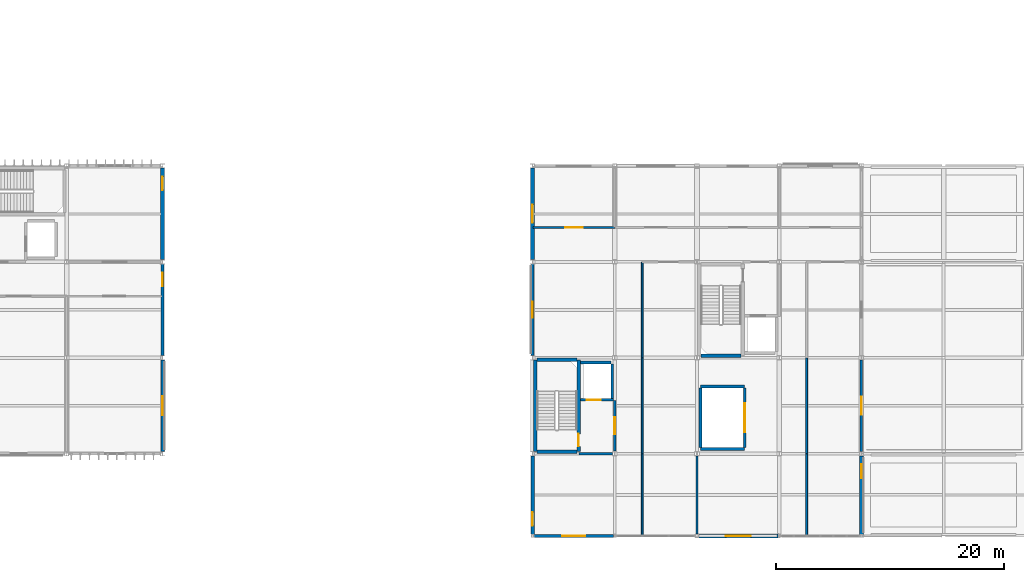
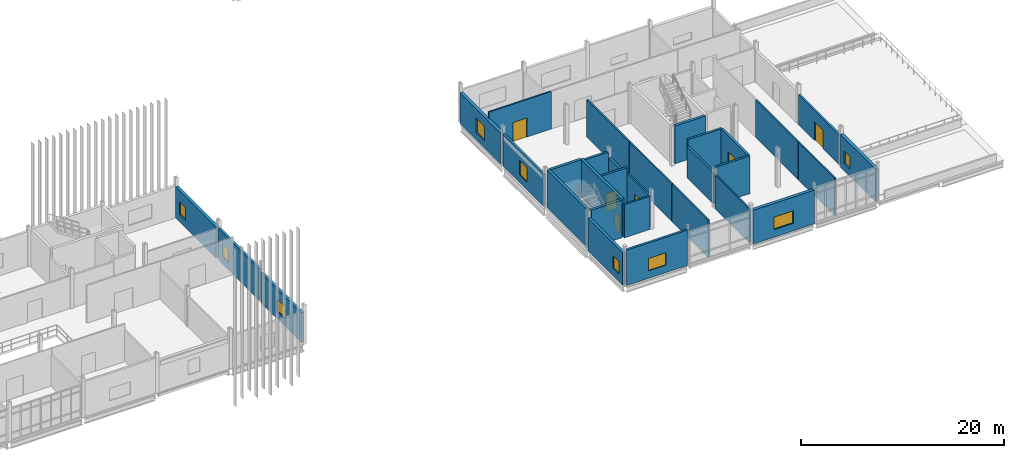
# One storey, part 51 of 72: 31 walls, 9 windows, 6 doors, 15 openings.
"""IFC4 building model written with IfcOpenShell, lengths in metres."""

from ifc_helpers import new_model, si_unit, direction, frame, frame_2d, origin, place, context, subcontext, project, spatial, rectangle, extrude, material, layer, layer_set, type_object, element, fill, save


model = new_model("IFC4")

# Units and contexts
model_context = context("Model", 3, precision=1e-05, world=origin(), true_north=direction((0.0, 1.0)))
body_context = subcontext(model_context, "Body", "Model", "MODEL_VIEW")
ifc_project = project(units=[si_unit("LENGTHUNIT", "METRE"), si_unit("AREAUNIT", "SQUARE_METRE"), si_unit("VOLUMEUNIT", "CUBIC_METRE"), si_unit("PLANEANGLEUNIT", "RADIAN"), si_unit("MASSUNIT", "GRAM", prefix="KILO")], contexts=[model_context])

# Site, building, storey
site_placement = place(None, origin())
site = spatial("IfcSite", under=ifc_project, at=site_placement, CompositionType="ELEMENT")
building_placement = place(site_placement, origin())
building = spatial("IfcBuilding", under=site, at=building_placement, Name="Calvrana Isthmian Art Gallery", CompositionType="ELEMENT")
storey_placement = place(building_placement, frame((0.0, 0.0, 15.0)))
storey = spatial("IfcBuildingStorey", under=building, at=storey_placement, Name="L03", CompositionType="ELEMENT", Elevation=15.0)

# Wall
ifc_material_1 = material(Name="Concrete C40/50", Category="concrete")
ifc_layer_1 = layer(ifc_material_1, 0.300048828125, Name="Concrete C40/50")
ifc_layer_set_1 = layer_set([ifc_layer_1], Name="Concrete C40/50")
wall_type_1 = type_object("IfcWallType", Name="CW-SHAFT-300", PredefinedType="SHEAR", material=ifc_layer_set_1)
wall_1_placement = place(storey_placement, frame((113.02001953125, 21.7900390625, 0.0), z_axis=(0.0, 0.0, 1.0), x_axis=(0.0, 1.0, 0.0)))
element("IfcWall", 1, at=wall_1_placement, inside=storey, type_object=wall_type_1, Name="Core C3 shear wall W L03", PredefinedType="SHEAR", context=body_context, shape_type="SweptSolid", body=[
    extrude(rectangle(XDim=8.02001953125, YDim=0.300048828125, at=frame_2d((4.010009765625, 0.0))), origin(), (0.0, 0.0, 1.0), 4.5400390625),
])

# Wall, opening, door
wall_2_placement = place(storey_placement, frame((116.840087890625, 21.7900390625, 0.0), z_axis=(0.0, 0.0, 1.0), x_axis=(0.0, 1.0, 0.0)))
wall_2 = element("IfcWall", 2, at=wall_2_placement, inside=storey, type_object=wall_type_1, Name="Core C3 shear wall E L03", PredefinedType="SHEAR", context=body_context, shape_type="SweptSolid", body=[
    extrude(rectangle(XDim=8.02001953125, YDim=0.300048828125, at=frame_2d((4.010009765625, 0.0))), origin(), (0.0, 0.0, 1.0), 4.5400390625),
])
opening_1_placement = place(wall_2_placement, frame((0.449951171875, 0.0, 0.0)))
opening_1 = element("IfcOpeningElement", 3, at=opening_1_placement, cuts=wall_2, Name="Opening D-136", PredefinedType="OPENING", context=body_context, shape_type="SweptSolid", body=[
    extrude(rectangle(XDim=1.10009765625, YDim=2.14990234375, at=frame_2d((0.550048828125, 1.074951171875))), frame((0.0, 0.16015625, 0.0), z_axis=(0.0, -1.0, 0.0), x_axis=(1.0, 0.0, 0.0)), (0.0, 0.0, 1.0), 0.320556640625),
])
ifc_material_2 = material(Name="Steel ASTM A572 Gr 50", Category="steel")
door_type_1 = type_object("IfcDoorType", Name="DR-FIRE-1100", OperationType="NOTDEFINED", PredefinedType="DOOR", material=ifc_material_2)
door_1_placement = place(opening_1_placement, origin())
door_1 = element("IfcDoor", 4, at=door_1_placement, inside=storey, type_object=door_type_1, Name="Stair ST-3 fire door L03", OperationType="SINGLE_SWING_LEFT", OverallHeight=2.14990234375, OverallWidth=1.10009765625, PredefinedType="DOOR", context=body_context, shape_type="SweptSolid", body=[
    extrude(rectangle(XDim=1.10009765625, YDim=2.14990234375, at=frame_2d((0.550048828125, 1.074951171875))), frame((0.0, 0.02490234375, 0.0), z_axis=(0.0, -1.0, 0.0), x_axis=(1.0, 0.0, 0.0)), (0.0, 0.0, 1.0), 0.050048828125),
])
fill(opening_1, door_1)

# Walls
for number, where, z_axis, x_axis, name in (
    (5, (113.169921875, 21.7900390625, 0.0), (0.0, 0.0, 1.0), (1.0, 0.0, 0.0), "Core C3 shear wall S L03"),
    (6, (113.169921875, 29.81005859375, 0.0), (0.0, 0.0, 1.0), (1.0, 0.0, 0.0), "Core C3 shear wall N L03"),
    (7, (127.550048828125, 30.18994140625, 0.0), (0.0, 0.0, 1.0), (1.0, 0.0, 0.0), "Core C4 shear wall S L03"),
):
    element("IfcWall", number, at=place(storey_placement, frame(where, z_axis=z_axis, x_axis=x_axis)), inside=storey, type_object=wall_type_1, Name=name, PredefinedType="SHEAR", context=body_context, shape_type="SweptSolid", body=[
        extrude(rectangle(XDim=3.52001953125, YDim=0.300048828125, at=frame_2d((1.760009765625, 0.0))), origin(), (0.0, 0.0, 1.0), 4.5400390625),
    ])

# Wall, opening, door
ifc_material_3 = material(Name="Precast concrete C40/50", Category="concrete")
ifc_layer_2 = layer(ifc_material_3, 0.219970703125, Name="Precast concrete C40/50")
ifc_layer_set_2 = layer_set([ifc_layer_2], Name="Precast concrete C40/50")
wall_type_2 = type_object("IfcWallType", Name="EW-ACOUST-220", PredefinedType="SOLIDWALL", material=ifc_layer_set_2)
wall_3_placement = place(storey_placement, frame((141.60009765625, 29.81591796875, 0.0), z_axis=(0.0, 0.0, 1.0), x_axis=(0.0, -1.0, 0.0)))
wall_3 = element("IfcWall", 8, at=wall_3_placement, inside=storey, type_object=wall_type_2, Name="Exterior wall EW-176", PredefinedType="SOLIDWALL", context=body_context, shape_type="SweptSolid", body=[
    extrude(rectangle(XDim=8.034423828125, YDim=0.219970703125, at=frame_2d((4.01708984375, 0.0))), origin(), (0.0, 0.0, 1.0), 3.593017578125),
])
opening_2_placement = place(wall_3_placement, frame((3.21728515625, 0.0, 0.0)))
opening_2 = element("IfcOpeningElement", 9, at=opening_2_placement, cuts=wall_3, Name="Opening D-T26", PredefinedType="OPENING", context=body_context, shape_type="SweptSolid", body=[
    extrude(rectangle(XDim=1.60009765625, YDim=2.25, at=frame_2d((0.800048828125, 1.125))), frame((0.0, 0.1201171875, 0.0), z_axis=(0.0, -1.0, 0.0), x_axis=(1.0, 0.0, 0.0)), (0.0, 0.0, 1.0), 0.240478515625),
])
ifc_material_4 = material(Name="Anodized bronze aluminium 6063-T6", Category="aluminium")
door_type_2 = type_object("IfcDoorType", Name="DR-EXT-TER-1600", OperationType="DOUBLE_DOOR_SINGLE_SWING", PredefinedType="DOOR", material=ifc_material_4)
door_2_placement = place(opening_2_placement, origin())
door_2 = element("IfcDoor", 10, at=door_2_placement, inside=storey, type_object=door_type_2, Name="Sculpture terrace access door D-T26", OperationType="DOUBLE_DOOR_SINGLE_SWING", OverallHeight=2.25, OverallWidth=1.60009765625, PredefinedType="DOOR", context=body_context, shape_type="SweptSolid", body=[
    extrude(rectangle(XDim=1.60009765625, YDim=2.25, at=frame_2d((0.800048828125, 1.125))), frame((0.0, 0.02490234375, 0.0), z_axis=(0.0, -1.0, 0.0), x_axis=(1.0, 0.0, 0.0)), (0.0, 0.0, 1.0), 0.050048828125),
])
fill(opening_2, door_2)

# Wall, opening, window
ifc_material_5 = material(Name="Pale Isthmian limestone", Category="masonry")
ifc_layer_3 = layer(ifc_material_5, 0.300048828125, Name="Pale Isthmian limestone")
ifc_layer_set_3 = layer_set([ifc_layer_3], Name="Pale Isthmian limestone")
wall_type_3 = type_object("IfcWallType", Name="EW-LIME-300", PredefinedType="SOLIDWALL", material=ifc_layer_set_3)
wall_4_placement = place(storey_placement, frame((80.39990234375, 29.81591796875, 0.0), z_axis=(0.0, 0.0, 1.0), x_axis=(0.0, -1.0, 0.0)))
wall_4 = element("IfcWall", 11, at=wall_4_placement, inside=storey, type_object=wall_type_3, Name="Exterior wall EW-165", PredefinedType="SOLIDWALL", context=body_context, shape_type="SweptSolid", body=[
    extrude(rectangle(XDim=8.034423828125, YDim=0.300048828125, at=frame_2d((4.01708984375, 0.0))), origin(), (0.0, 0.0, 1.0), 3.593017578125),
])
opening_3_placement = place(wall_4_placement, frame((3.192138671875, 0.0, 0.89990234375)))
opening_3 = element("IfcOpeningElement", 12, at=opening_3_placement, cuts=wall_4, Name="Opening W-121", PredefinedType="OPENING", context=body_context, shape_type="SweptSolid", body=[
    extrude(rectangle(XDim=1.64990234375, YDim=1.5, at=frame_2d((0.824951171875, 0.75))), frame((0.0, 0.16015625, 0.0), z_axis=(0.0, -1.0, 0.0), x_axis=(1.0, 0.0, 0.0)), (0.0, 0.0, 1.0), 0.320556640625),
])
ifc_material_6 = material(Name="Low-E laminated solar glass", Category="glass")
window_type_1 = type_object("IfcWindowType", Name="WN-G04", PartitioningType="SINGLE_PANEL", PredefinedType="WINDOW", material=ifc_material_6)
window_1_placement = place(opening_3_placement, origin())
window_1 = element("IfcWindow", 13, at=window_1_placement, inside=storey, type_object=window_type_1, Name="Facade window W-121", OverallHeight=1.5, OverallWidth=1.64990234375, PartitioningType="SINGLE_PANEL", PredefinedType="WINDOW", context=body_context, shape_type="SweptSolid", body=[
    extrude(rectangle(XDim=1.64990234375, YDim=1.5, at=frame_2d((0.824951171875, 0.75))), frame((0.0, 0.030029296875, 0.0), z_axis=(0.0, -1.0, 0.0), x_axis=(1.0, 0.0, 0.0)), (0.0, 0.0, 1.0), 0.06005859375),
])
fill(opening_3, window_1)

wall_5_placement = place(storey_placement, frame((112.800048828125, 14.527099609375, 0.0), z_axis=(0.0, 0.0, 1.0), x_axis=(0.0, 1.0, 0.0)))
wall_5 = element("IfcWall", 14, at=wall_5_placement, inside=storey, type_object=wall_type_3, Name="Exterior wall EW-169", PredefinedType="SOLIDWALL", context=body_context, shape_type="SweptSolid", body=[
    extrude(rectangle(XDim=6.891357421875, YDim=0.300048828125, at=frame_2d((3.44580078125, 0.0))), origin(), (0.0, 0.0, 1.0), 3.9130859375),
])
opening_4_placement = place(wall_5_placement, frame((0.75, 0.0, 0.89990234375)))
opening_4 = element("IfcOpeningElement", 15, at=opening_4_placement, cuts=wall_5, Name="Opening W-125", PredefinedType="OPENING", context=body_context, shape_type="SweptSolid", body=[
    extrude(rectangle(XDim=1.199951171875, YDim=1.5, at=frame_2d((0.60009765625, 0.75))), frame((0.0, 0.16015625, 0.0), z_axis=(0.0, -1.0, 0.0), x_axis=(1.0, 0.0, 0.0)), (0.0, 0.0, 1.0), 0.320556640625),
])
window_type_2 = type_object("IfcWindowType", Name="WN-G01", PartitioningType="SINGLE_PANEL", PredefinedType="WINDOW", material=ifc_material_6)
window_2_placement = place(opening_4_placement, origin())
window_2 = element("IfcWindow", 16, at=window_2_placement, inside=storey, type_object=window_type_2, Name="Facade window W-125", OverallHeight=1.5, OverallWidth=1.199951171875, PartitioningType="SINGLE_PANEL", PredefinedType="WINDOW", context=body_context, shape_type="SweptSolid", body=[
    extrude(rectangle(XDim=1.199951171875, YDim=1.5, at=frame_2d((0.60009765625, 0.75))), frame((0.0, 0.030029296875, 0.0), z_axis=(0.0, -1.0, 0.0), x_axis=(1.0, 0.0, 0.0)), (0.0, 0.0, 1.0), 0.06005859375),
])
fill(opening_4, window_2)

ifc_layer_4 = layer(ifc_material_3, 0.35009765625, Name="Precast concrete C40/50")
ifc_layer_set_4 = layer_set([ifc_layer_4], Name="Precast concrete C40/50")
wall_type_4 = type_object("IfcWallType", Name="EW-PREC-350", PredefinedType="SOLIDWALL", material=ifc_layer_set_4)
wall_6_placement = place(storey_placement, frame((134.29833984375, 14.39990234375, 0.0), z_axis=(0.0, 0.0, 1.0), x_axis=(-1.0, 0.0, 0.0)))
wall_6 = element("IfcWall", 17, at=wall_6_placement, inside=storey, type_object=wall_type_4, Name="Exterior wall EW-143", PredefinedType="SOLIDWALL", context=body_context, shape_type="SweptSolid", body=[
    extrude(rectangle(XDim=6.946044921875, YDim=0.35009765625, at=frame_2d((3.47314453125, 0.0))), origin(), (0.0, 0.0, 1.0), 4.05810546875),
])
opening_5_placement = place(wall_6_placement, frame((2.373046875, 0.0, 0.89990234375)))
opening_5 = element("IfcOpeningElement", 18, at=opening_5_placement, cuts=wall_6, Name="Opening W-100", PredefinedType="OPENING", context=body_context, shape_type="SweptSolid", body=[
    extrude(rectangle(XDim=2.199951171875, YDim=1.5, at=frame_2d((1.10009765625, 0.75))), frame((0.0, 0.185302734375, 0.0), z_axis=(0.0, -1.0, 0.0), x_axis=(1.0, 0.0, 0.0)), (0.0, 0.0, 1.0), 0.37060546875),
])
window_type_3 = type_object("IfcWindowType", Name="WN-G07", PartitioningType="DOUBLE_PANEL_VERTICAL", PredefinedType="WINDOW", material=ifc_material_6)
window_3_placement = place(opening_5_placement, origin())
window_3 = element("IfcWindow", 19, at=window_3_placement, inside=storey, type_object=window_type_3, Name="Facade window W-100", OverallHeight=1.5, OverallWidth=2.199951171875, PartitioningType="SINGLE_PANEL", PredefinedType="WINDOW", context=body_context, shape_type="SweptSolid", body=[
    extrude(rectangle(XDim=2.199951171875, YDim=1.5, at=frame_2d((1.10009765625, 0.75))), frame((0.0, 0.030029296875, 0.0), z_axis=(0.0, -1.0, 0.0), x_axis=(1.0, 0.0, 0.0)), (0.0, 0.0, 1.0), 0.06005859375),
])
fill(opening_5, window_3)

wall_7_placement = place(storey_placement, frame((80.39990234375, 46.6220703125, 0.0), z_axis=(0.0, 0.0, 1.0), x_axis=(0.0, -1.0, 0.0)))
wall_7 = element("IfcWall", 20, at=wall_7_placement, inside=storey, type_object=wall_type_4, Name="Exterior wall EW-167", PredefinedType="SOLIDWALL", context=body_context, shape_type="SweptSolid", body=[
    extrude(rectangle(XDim=8.03564453125, YDim=0.35009765625, at=frame_2d((4.017822265625, 0.0))), origin(), (0.0, 0.0, 1.0), 3.748046875),
])
opening_6_placement = place(wall_7_placement, frame((0.75, 0.0, 0.89990234375)))
opening_6 = element("IfcOpeningElement", 21, at=opening_6_placement, cuts=wall_7, Name="Opening W-123", PredefinedType="OPENING", context=body_context, shape_type="SweptSolid", body=[
    extrude(rectangle(XDim=1.199951171875, YDim=1.5, at=frame_2d((0.60009765625, 0.75))), frame((0.0, 0.185302734375, 0.0), z_axis=(0.0, -1.0, 0.0), x_axis=(1.0, 0.0, 0.0)), (0.0, 0.0, 1.0), 0.37060546875),
])
window_4_placement = place(opening_6_placement, origin())
window_4 = element("IfcWindow", 22, at=window_4_placement, inside=storey, type_object=window_type_2, Name="Facade window W-123", OverallHeight=1.5, OverallWidth=1.199951171875, PartitioningType="SINGLE_PANEL", PredefinedType="WINDOW", context=body_context, shape_type="SweptSolid", body=[
    extrude(rectangle(XDim=1.199951171875, YDim=1.5, at=frame_2d((0.60009765625, 0.75))), frame((0.0, 0.030029296875, 0.0), z_axis=(0.0, -1.0, 0.0), x_axis=(1.0, 0.0, 0.0)), (0.0, 0.0, 1.0), 0.06005859375),
])
fill(opening_6, window_4)

wall_8_placement = place(storey_placement, frame((112.800048828125, 38.58642578125, 0.0), z_axis=(0.0, 0.0, 1.0), x_axis=(0.0, 1.0, 0.0)))
wall_8 = element("IfcWall", 23, at=wall_8_placement, inside=storey, type_object=wall_type_4, Name="Exterior wall EW-171", PredefinedType="SOLIDWALL", context=body_context, shape_type="SweptSolid", body=[
    extrude(rectangle(XDim=8.03564453125, YDim=0.35009765625, at=frame_2d((4.017822265625, 0.0))), origin(), (0.0, 0.0, 1.0), 3.748046875),
])
opening_7_placement = place(wall_8_placement, frame((3.2177734375, 0.0, 0.89990234375)))
opening_7 = element("IfcOpeningElement", 24, at=opening_7_placement, cuts=wall_8, Name="Opening W-127", PredefinedType="OPENING", context=body_context, shape_type="SweptSolid", body=[
    extrude(rectangle(XDim=1.60009765625, YDim=1.75, at=frame_2d((0.800048828125, 0.875))), frame((0.0, 0.185302734375, 0.0), z_axis=(0.0, -1.0, 0.0), x_axis=(1.0, 0.0, 0.0)), (0.0, 0.0, 1.0), 0.37060546875),
])
window_type_4 = type_object("IfcWindowType", Name="WN-G10", PartitioningType="SINGLE_PANEL", PredefinedType="WINDOW", material=ifc_material_6)
window_5_placement = place(opening_7_placement, origin())
window_5 = element("IfcWindow", 25, at=window_5_placement, inside=storey, type_object=window_type_4, Name="Facade window W-127", OverallHeight=1.75, OverallWidth=1.60009765625, PartitioningType="SINGLE_PANEL", PredefinedType="WINDOW", context=body_context, shape_type="SweptSolid", body=[
    extrude(rectangle(XDim=1.60009765625, YDim=1.75, at=frame_2d((0.800048828125, 0.875))), frame((0.0, 0.030029296875, 0.0), z_axis=(0.0, -1.0, 0.0), x_axis=(1.0, 0.0, 0.0)), (0.0, 0.0, 1.0), 0.06005859375),
])
fill(opening_7, window_5)

wall_9_placement = place(storey_placement, frame((141.60009765625, 21.41845703125, 0.0), z_axis=(0.0, 0.0, 1.0), x_axis=(0.0, -1.0, 0.0)))
wall_9 = element("IfcWall", 26, at=wall_9_placement, inside=storey, type_object=wall_type_4, Name="Exterior wall EW-175", PredefinedType="SOLIDWALL", context=body_context, shape_type="SweptSolid", body=[
    extrude(rectangle(XDim=6.891357421875, YDim=0.35009765625, at=frame_2d((3.44580078125, 0.0))), origin(), (0.0, 0.0, 1.0), 3.9130859375),
])
opening_8_placement = place(wall_9_placement, frame((0.75, 0.0, 0.89990234375)))
opening_8 = element("IfcOpeningElement", 27, at=opening_8_placement, cuts=wall_9, Name="Opening W-131", PredefinedType="OPENING", context=body_context, shape_type="SweptSolid", body=[
    extrude(rectangle(XDim=1.199951171875, YDim=1.5, at=frame_2d((0.60009765625, 0.75))), frame((0.0, 0.185302734375, 0.0), z_axis=(0.0, -1.0, 0.0), x_axis=(1.0, 0.0, 0.0)), (0.0, 0.0, 1.0), 0.37060546875),
])
window_6_placement = place(opening_8_placement, origin())
window_6 = element("IfcWindow", 28, at=window_6_placement, inside=storey, type_object=window_type_2, Name="Facade window W-131", OverallHeight=1.5, OverallWidth=1.199951171875, PartitioningType="SINGLE_PANEL", PredefinedType="WINDOW", context=body_context, shape_type="SweptSolid", body=[
    extrude(rectangle(XDim=1.199951171875, YDim=1.5, at=frame_2d((0.60009765625, 0.75))), frame((0.0, 0.030029296875, 0.0), z_axis=(0.0, -1.0, 0.0), x_axis=(1.0, 0.0, 0.0)), (0.0, 0.0, 1.0), 0.06005859375),
])
fill(opening_8, window_6)

ifc_material_7 = material(Name="Polychrome glazed terracotta", Category="masonry")
ifc_layer_5 = layer(ifc_material_7, 0.25, Name="Polychrome glazed terracotta")
ifc_layer_set_5 = layer_set([ifc_layer_5], Name="Polychrome glazed terracotta")
wall_type_5 = type_object("IfcWallType", Name="EW-TERRA-250", PredefinedType="SOLIDWALL", material=ifc_layer_set_5)
wall_10_placement = place(storey_placement, frame((119.8984375, 14.39990234375, 0.0), z_axis=(0.0, 0.0, 1.0), x_axis=(-1.0, 0.0, 0.0)))
wall_10 = element("IfcWall", 29, at=wall_10_placement, inside=storey, type_object=wall_type_5, Name="Exterior wall EW-142", PredefinedType="SOLIDWALL", context=body_context, shape_type="SweptSolid", body=[
    extrude(rectangle(XDim=6.971435546875, YDim=0.25, at=frame_2d((3.48583984375, 0.0))), origin(), (0.0, 0.0, 1.0), 4.26611328125),
])
opening_9_placement = place(wall_10_placement, frame((2.485595703125, 0.0, 0.89990234375)))
opening_9 = element("IfcOpeningElement", 30, at=opening_9_placement, cuts=wall_10, Name="Opening W-099", PredefinedType="OPENING", context=body_context, shape_type="SweptSolid", body=[
    extrude(rectangle(XDim=2.0, YDim=1.5, at=frame_2d((1.0, 0.75))), frame((0.0, 0.13525390625, 0.0), z_axis=(0.0, -1.0, 0.0), x_axis=(1.0, 0.0, 0.0)), (0.0, 0.0, 1.0), 0.2705078125),
])
window_type_5 = type_object("IfcWindowType", Name="WN-G06", PartitioningType="DOUBLE_PANEL_VERTICAL", PredefinedType="WINDOW", material=ifc_material_6)
window_7_placement = place(opening_9_placement, origin())
window_7 = element("IfcWindow", 31, at=window_7_placement, inside=storey, type_object=window_type_5, Name="Facade window W-099", OverallHeight=1.5, OverallWidth=2.0, PartitioningType="SINGLE_PANEL", PredefinedType="WINDOW", context=body_context, shape_type="SweptSolid", body=[
    extrude(rectangle(XDim=2.0, YDim=1.5, at=frame_2d((1.0, 0.75))), frame((0.0, 0.030029296875, 0.0), z_axis=(0.0, -1.0, 0.0), x_axis=(1.0, 0.0, 0.0)), (0.0, 0.0, 1.0), 0.06005859375),
])
fill(opening_9, window_7)

wall_11_placement = place(storey_placement, frame((80.39990234375, 38.21337890625, 0.0), z_axis=(0.0, 0.0, 1.0), x_axis=(0.0, -1.0, 0.0)))
wall_11 = element("IfcWall", 32, at=wall_11_placement, inside=storey, type_object=wall_type_5, Name="Exterior wall EW-166", PredefinedType="SOLIDWALL", context=body_context, shape_type="SweptSolid", body=[
    extrude(rectangle(XDim=8.029296875, YDim=0.25, at=frame_2d((4.0146484375, 0.0))), origin(), (0.0, 0.0, 1.0), 3.826904296875),
])
opening_10_placement = place(wall_11_placement, frame((0.75, 0.0, 0.89990234375)))
opening_10 = element("IfcOpeningElement", 33, at=opening_10_placement, cuts=wall_11, Name="Opening W-122", PredefinedType="OPENING", context=body_context, shape_type="SweptSolid", body=[
    extrude(rectangle(XDim=1.199951171875, YDim=1.5, at=frame_2d((0.60009765625, 0.75))), frame((0.0, 0.13525390625, 0.0), z_axis=(0.0, -1.0, 0.0), x_axis=(1.0, 0.0, 0.0)), (0.0, 0.0, 1.0), 0.2705078125),
])
window_8_placement = place(opening_10_placement, origin())
window_8 = element("IfcWindow", 34, at=window_8_placement, inside=storey, type_object=window_type_2, Name="Facade window W-122", OverallHeight=1.5, OverallWidth=1.199951171875, PartitioningType="SINGLE_PANEL", PredefinedType="WINDOW", context=body_context, shape_type="SweptSolid", body=[
    extrude(rectangle(XDim=1.199951171875, YDim=1.5, at=frame_2d((0.60009765625, 0.75))), frame((0.0, 0.030029296875, 0.0), z_axis=(0.0, -1.0, 0.0), x_axis=(1.0, 0.0, 0.0)), (0.0, 0.0, 1.0), 0.06005859375),
])
fill(opening_10, window_8)

wall_12_placement = place(storey_placement, frame((112.800048828125, 30.18408203125, 0.0), z_axis=(0.0, 0.0, 1.0), x_axis=(0.0, 1.0, 0.0)))
wall_12 = element("IfcWall", 35, at=wall_12_placement, inside=storey, type_object=wall_type_5, Name="Exterior wall EW-170", PredefinedType="SOLIDWALL", context=body_context, shape_type="SweptSolid", body=[
    extrude(rectangle(XDim=8.029296875, YDim=0.25, at=frame_2d((4.0146484375, 0.0))), origin(), (0.0, 0.0, 1.0), 3.826904296875),
])
opening_11_placement = place(wall_12_placement, frame((3.314697265625, 0.0, 0.89990234375)))
opening_11 = element("IfcOpeningElement", 36, at=opening_11_placement, cuts=wall_12, Name="Opening W-126", PredefinedType="OPENING", context=body_context, shape_type="SweptSolid", body=[
    extrude(rectangle(XDim=1.39990234375, YDim=1.75, at=frame_2d((0.699951171875, 0.875))), frame((0.0, 0.13525390625, 0.0), z_axis=(0.0, -1.0, 0.0), x_axis=(1.0, 0.0, 0.0)), (0.0, 0.0, 1.0), 0.2705078125),
])
window_type_6 = type_object("IfcWindowType", Name="WN-G09", PartitioningType="SINGLE_PANEL", PredefinedType="WINDOW", material=ifc_material_6)
window_9_placement = place(opening_11_placement, origin())
window_9 = element("IfcWindow", 37, at=window_9_placement, inside=storey, type_object=window_type_6, Name="Facade window W-126", OverallHeight=1.75, OverallWidth=1.39990234375, PartitioningType="SINGLE_PANEL", PredefinedType="WINDOW", context=body_context, shape_type="SweptSolid", body=[
    extrude(rectangle(XDim=1.39990234375, YDim=1.75, at=frame_2d((0.699951171875, 0.875))), frame((0.0, 0.030029296875, 0.0), z_axis=(0.0, -1.0, 0.0), x_axis=(1.0, 0.0, 0.0)), (0.0, 0.0, 1.0), 0.06005859375),
])
fill(opening_11, window_9)

# Wall
ifc_material_8 = material(Name="Acoustic gypsum ceiling", Category="gypsum")
ifc_layer_6 = layer(ifc_material_8, 0.199951171875, Name="Acoustic gypsum ceiling")
ifc_layer_set_6 = layer_set([ifc_layer_6], Name="Acoustic gypsum ceiling")
wall_type_6 = type_object("IfcWallType", Name="PW-FIRE-200", PredefinedType="PARTITIONING", material=ifc_layer_set_6)
wall_13_placement = place(storey_placement, frame((116.85009765625, 21.60009765625, 0.0), z_axis=(0.0, 0.0, 1.0), x_axis=(1.0, 0.0, 0.0)))
element("IfcWall", 38, at=wall_13_placement, inside=storey, type_object=wall_type_6, Name="Core C3 lobby south closure L03", PredefinedType="PARTITIONING", context=body_context, shape_type="SweptSolid", body=[
    extrude(rectangle(XDim=2.929931640625, YDim=0.199951171875, at=frame_2d((1.46484375, 0.0))), origin(), (0.0, 0.0, 1.0), 3.987060546875),
])

# Wall, opening, door
wall_14_placement = place(storey_placement, frame((120.0, 21.820068359375, 0.0), z_axis=(0.0, 0.0, 1.0), x_axis=(0.0, 1.0, 0.0)))
wall_14 = element("IfcWall", 39, at=wall_14_placement, inside=storey, type_object=wall_type_6, Name="Core C3 lobby enclosure L03", PredefinedType="PARTITIONING", context=body_context, shape_type="SweptSolid", body=[
    extrude(rectangle(XDim=4.4599609375, YDim=0.199951171875, at=frame_2d((2.22998046875, 0.0))), origin(), (0.0, 0.0, 1.0), 3.826904296875),
])
opening_12_placement = place(wall_14_placement, frame((1.5048828125, 0.0, 0.0)))
opening_12 = element("IfcOpeningElement", 40, at=opening_12_placement, cuts=wall_14, Name="Opening D-137", PredefinedType="OPENING", context=body_context, shape_type="SweptSolid", body=[
    extrude(rectangle(XDim=1.449951171875, YDim=2.199951171875, at=frame_2d((0.72509765625, 1.10009765625))), frame((0.0, 0.1103515625, 0.0), z_axis=(0.0, -1.0, 0.0), x_axis=(1.0, 0.0, 0.0)), (0.0, 0.0, 1.0), 0.220458984375),
])
door_type_3 = type_object("IfcDoorType", Name="DR-LOBBY-1450", OperationType="DOUBLE_DOOR_SINGLE_SWING", PredefinedType="DOOR", material=ifc_material_2)
door_3_placement = place(opening_12_placement, origin())
door_3 = element("IfcDoor", 41, at=door_3_placement, inside=storey, type_object=door_type_3, Name="Core C3 lobby fire door L03", OperationType="DOUBLE_DOOR_SINGLE_SWING", OverallHeight=2.199951171875, OverallWidth=1.449951171875, PredefinedType="DOOR", context=body_context, shape_type="SweptSolid", body=[
    extrude(rectangle(XDim=1.449951171875, YDim=2.199951171875, at=frame_2d((0.72509765625, 1.10009765625))), frame((0.0, 0.02490234375, 0.0), z_axis=(0.0, -1.0, 0.0), x_axis=(1.0, 0.0, 0.0)), (0.0, 0.0, 1.0), 0.050048828125),
])
fill(opening_12, door_3)

# Walls
ifc_layer_7 = layer(ifc_material_8, 0.159912109375, Name="Acoustic gypsum ceiling")
ifc_layer_set_7 = layer_set([ifc_layer_7], Name="Acoustic gypsum ceiling")
wall_type_7 = type_object("IfcWallType", Name="PW-GAL-160", PredefinedType="PARTITIONING", material=ifc_layer_set_7)
wall_15_placement = place(storey_placement, frame((122.39990234375, 14.43994140625, 0.0), z_axis=(0.0, 0.0, 1.0), x_axis=(0.0, 1.0, 0.0)))
element("IfcWall", 42, at=wall_15_placement, inside=storey, type_object=wall_type_7, Name="Interior partition PW-544", PredefinedType="PARTITIONING", context=body_context, shape_type="SweptSolid", body=[
    extrude(rectangle(XDim=7.14013671875, YDim=0.159912109375, at=frame_2d((3.570068359375, 0.0))), origin(), (0.0, 0.0, 1.0), 4.52001953125),
])
for number, where, z_axis, x_axis, name in (
    (43, (122.39990234375, 21.6201171875, 0.0), (0.0, 0.0, 1.0), (0.0, 1.0, 0.0), "Interior partition PW-545"),
    (44, (122.39990234375, 30.02001953125, 0.0), (0.0, 0.0, 1.0), (0.0, 1.0, 0.0), "Interior partition PW-546"),
):
    element("IfcWall", number, at=place(storey_placement, frame(where, z_axis=z_axis, x_axis=x_axis)), inside=storey, type_object=wall_type_7, Name=name, PredefinedType="PARTITIONING", context=body_context, shape_type="SweptSolid", body=[
        extrude(rectangle(XDim=8.35986328125, YDim=0.159912109375, at=frame_2d((4.179931640625, 0.0))), origin(), (0.0, 0.0, 1.0), 4.52001953125),
    ])
wall_16_placement = place(storey_placement, frame((127.199951171875, 14.5673828125, 0.0), z_axis=(0.0, 0.0, 1.0), x_axis=(0.0, 1.0, 0.0)))
element("IfcWall", 45, at=wall_16_placement, inside=storey, type_object=wall_type_7, Name="Interior partition PW-548", PredefinedType="PARTITIONING", context=body_context, shape_type="SweptSolid", body=[
    extrude(rectangle(XDim=6.8310546875, YDim=0.159912109375, at=frame_2d((3.41552734375, 0.0))), origin(), (0.0, 0.0, 1.0), 4.05810546875),
])
wall_17_placement = place(storey_placement, frame((136.800048828125, 14.43994140625, 0.0), z_axis=(0.0, 0.0, 1.0), x_axis=(0.0, 1.0, 0.0)))
element("IfcWall", 46, at=wall_17_placement, inside=storey, type_object=wall_type_7, Name="Interior partition PW-549", PredefinedType="PARTITIONING", context=body_context, shape_type="SweptSolid", body=[
    extrude(rectangle(XDim=7.14013671875, YDim=0.159912109375, at=frame_2d((3.570068359375, 0.0))), origin(), (0.0, 0.0, 1.0), 4.52001953125),
])
wall_18_placement = place(storey_placement, frame((136.800048828125, 21.6201171875, 0.0), z_axis=(0.0, 0.0, 1.0), x_axis=(0.0, 1.0, 0.0)))
element("IfcWall", 47, at=wall_18_placement, inside=storey, type_object=wall_type_7, Name="Interior partition PW-550", PredefinedType="PARTITIONING", context=body_context, shape_type="SweptSolid", body=[
    extrude(rectangle(XDim=8.35986328125, YDim=0.159912109375, at=frame_2d((4.179931640625, 0.0))), origin(), (0.0, 0.0, 1.0), 4.52001953125),
])

# Wall, opening, door
wall_19_placement = place(storey_placement, frame((112.860107421875, 41.409912109375, 0.0), z_axis=(0.0, 0.0, 1.0), x_axis=(1.0, 0.0, 0.0)))
wall_19 = element("IfcWall", 48, at=wall_19_placement, inside=storey, type_object=wall_type_7, Name="Interior partition PW-553", PredefinedType="PARTITIONING", context=body_context, shape_type="SweptSolid", body=[
    extrude(rectangle(XDim=7.1298828125, YDim=0.159912109375, at=frame_2d((3.56494140625, 0.0))), origin(), (0.0, 0.0, 1.0), 4.52001953125),
])
opening_13_placement = place(wall_19_placement, frame((2.7900390625, 0.0, 0.0)))
opening_13 = element("IfcOpeningElement", 49, at=opening_13_placement, cuts=wall_19, Name="Opening D-485", PredefinedType="OPENING", context=body_context, shape_type="SweptSolid", body=[
    extrude(rectangle(XDim=1.550048828125, YDim=2.300048828125, at=frame_2d((0.77490234375, 1.14990234375))), frame((0.0, 0.09033203125, 0.0), z_axis=(0.0, -1.0, 0.0), x_axis=(1.0, 0.0, 0.0)), (0.0, 0.0, 1.0), 0.180419921875),
])
ifc_material_9 = material(Name="Timber gallery flooring", Category="wood")
door_type_4 = type_object("IfcDoorType", Name="DR-AUD-1550", OperationType="DOUBLE_DOOR_SINGLE_SWING", PredefinedType="DOOR", material=ifc_material_9)
door_4_placement = place(opening_13_placement, origin())
door_4 = element("IfcDoor", 50, at=door_4_placement, inside=storey, type_object=door_type_4, Name="Interior door D-485", OperationType="DOUBLE_DOOR_SINGLE_SWING", OverallHeight=2.300048828125, OverallWidth=1.550048828125, PredefinedType="DOOR", context=body_context, shape_type="SweptSolid", body=[
    extrude(rectangle(XDim=1.550048828125, YDim=2.300048828125, at=frame_2d((0.77490234375, 1.14990234375))), frame((0.0, 0.02490234375, 0.0), z_axis=(0.0, -1.0, 0.0), x_axis=(1.0, 0.0, 0.0)), (0.0, 0.0, 1.0), 0.050048828125),
])
fill(opening_13, door_4)

# Walls
ifc_material_10 = material(Name="Concrete C35/45", Category="concrete")
ifc_layer_8 = layer(ifc_material_10, 0.25, Name="Concrete C35/45")
ifc_layer_set_8 = layer_set([ifc_layer_8], Name="Concrete C35/45")
wall_type_8 = type_object("IfcWallType", Name="PW-SHAFT-250", PredefinedType="PARTITIONING", material=ifc_layer_set_8)
wall_20_placement = place(storey_placement, frame((116.989990234375, 29.580078125, 0.0), z_axis=(0.0, 0.0, 1.0), x_axis=(1.0, 0.0, 0.0)))
element("IfcWall", 51, at=wall_20_placement, inside=storey, type_object=wall_type_8, Name="Lift EL-03 shaft wall N L03", PredefinedType="PARTITIONING", context=body_context, shape_type="SweptSolid", body=[
    extrude(rectangle(XDim=2.659912109375, YDim=0.25, at=frame_2d((1.330078125, 0.0))), origin(), (0.0, 0.0, 1.0), 4.5400390625),
])
wall_21_placement = place(storey_placement, frame((119.780029296875, 26.449951171875, 0.0), z_axis=(0.0, 0.0, 1.0), x_axis=(0.0, 1.0, 0.0)))
element("IfcWall", 52, at=wall_21_placement, inside=storey, type_object=wall_type_8, Name="Lift EL-03 shaft wall E L03", PredefinedType="PARTITIONING", context=body_context, shape_type="SweptSolid", body=[
    extrude(rectangle(XDim=3.0, YDim=0.25, at=frame_2d((1.5, 0.0))), origin(), (0.0, 0.0, 1.0), 3.826904296875),
])

# Wall, opening, door
wall_22_placement = place(storey_placement, frame((116.989990234375, 26.320068359375, 0.0), z_axis=(0.0, 0.0, 1.0), x_axis=(1.0, 0.0, 0.0)))
wall_22 = element("IfcWall", 53, at=wall_22_placement, inside=storey, type_object=wall_type_8, Name="Lift EL-03 shaft wall S L03", PredefinedType="PARTITIONING", context=body_context, shape_type="SweptSolid", body=[
    extrude(rectangle(XDim=2.889892578125, YDim=0.25, at=frame_2d((1.44482421875, 0.0))), origin(), (0.0, 0.0, 1.0), 4.5400390625),
])
opening_14_placement = place(wall_22_placement, frame((0.550048828125, 0.0, 0.0)))
opening_14 = element("IfcOpeningElement", 54, at=opening_14_placement, cuts=wall_22, Name="Opening LD-03-L03", PredefinedType="OPENING", context=body_context, shape_type="SweptSolid", body=[
    extrude(rectangle(XDim=1.25, YDim=2.14990234375, at=frame_2d((0.625, 1.074951171875))), frame((0.0, 0.13525390625, 0.0), z_axis=(0.0, -1.0, 0.0), x_axis=(1.0, 0.0, 0.0)), (0.0, 0.0, 1.0), 0.2705078125),
])
ifc_material_11 = material(Name="Stainless steel 316", Category="steel")
door_type_5 = type_object("IfcDoorType", Name="DR-LIFT-1250", OperationType="DOUBLE_DOOR_SLIDING", PredefinedType="DOOR", material=ifc_material_11)
door_5_placement = place(opening_14_placement, origin())
door_5 = element("IfcDoor", 55, at=door_5_placement, inside=storey, type_object=door_type_5, Name="Lift EL-03 sliding landing door L03", OperationType="DOUBLE_DOOR_SLIDING", OverallHeight=2.14990234375, OverallWidth=1.25, PredefinedType="DOOR", context=body_context, shape_type="SweptSolid", body=[
    extrude(rectangle(XDim=1.25, YDim=2.14990234375, at=frame_2d((0.625, 1.074951171875))), frame((0.0, 0.02490234375, 0.0), z_axis=(0.0, -1.0, 0.0), x_axis=(1.0, 0.0, 0.0)), (0.0, 0.0, 1.0), 0.050048828125),
])
fill(opening_14, door_5)

# Walls
wall_23_placement = place(storey_placement, frame((127.52001953125, 22.14990234375, 0.0), z_axis=(0.0, 0.0, 1.0), x_axis=(0.0, 1.0, 0.0)))
element("IfcWall", 56, at=wall_23_placement, inside=storey, type_object=wall_type_8, Name="Art goods lift L-G1 shaft W L03", PredefinedType="PARTITIONING", context=body_context, shape_type="SweptSolid", body=[
    extrude(rectangle(XDim=5.2001953125, YDim=0.25, at=frame_2d((2.60009765625, 0.0))), origin(), (0.0, 0.0, 1.0), 3.748046875),
])
for number, where, z_axis, x_axis, name in (
    (57, (127.52001953125, 27.47998046875, 0.0), (0.0, 0.0, 1.0), (1.0, 0.0, 0.0), "Art goods lift L-G1 shaft N L03"),
    (58, (127.52001953125, 22.02001953125, 0.0), (0.0, 0.0, 1.0), (1.0, 0.0, 0.0), "Art goods lift L-G1 shaft S L03"),
):
    element("IfcWall", number, at=place(storey_placement, frame(where, z_axis=z_axis, x_axis=x_axis)), inside=storey, type_object=wall_type_8, Name=name, PredefinedType="PARTITIONING", context=body_context, shape_type="SweptSolid", body=[
        extrude(rectangle(XDim=3.85986328125, YDim=0.25, at=frame_2d((1.929931640625, 0.0))), origin(), (0.0, 0.0, 1.0), 4.5400390625),
    ])

# Wall, opening, door
wall_24_placement = place(storey_placement, frame((131.3798828125, 22.14990234375, 0.0), z_axis=(0.0, 0.0, 1.0), x_axis=(0.0, 1.0, 0.0)))
wall_24 = element("IfcWall", 59, at=wall_24_placement, inside=storey, type_object=wall_type_8, Name="Art goods lift L-G1 shaft E L03", PredefinedType="PARTITIONING", context=body_context, shape_type="SweptSolid", body=[
    extrude(rectangle(XDim=5.2001953125, YDim=0.25, at=frame_2d((2.60009765625, 0.0))), origin(), (0.0, 0.0, 1.0), 4.5400390625),
])
opening_15_placement = place(wall_24_placement, frame((1.35009765625, 0.0, 0.0)))
opening_15 = element("IfcOpeningElement", 60, at=opening_15_placement, cuts=wall_24, Name="Opening LD-G1-L03", PredefinedType="OPENING", context=body_context, shape_type="SweptSolid", body=[
    extrude(rectangle(XDim=2.5, YDim=2.60009765625, at=frame_2d((1.25, 1.300048828125))), frame((0.0, 0.13525390625, 0.0), z_axis=(0.0, -1.0, 0.0), x_axis=(1.0, 0.0, 0.0)), (0.0, 0.0, 1.0), 0.2705078125),
])
door_type_6 = type_object("IfcDoorType", Name="DR-GLIFT-2500", OperationType="DOUBLE_DOOR_SLIDING", PredefinedType="DOOR", material=ifc_material_11)
door_6_placement = place(opening_15_placement, origin())
door_6 = element("IfcDoor", 61, at=door_6_placement, inside=storey, type_object=door_type_6, Name="Art Goods Lift L-G1 sliding door L03", OperationType="DOUBLE_DOOR_SLIDING", OverallHeight=2.60009765625, OverallWidth=2.5, PredefinedType="DOOR", context=body_context, shape_type="SweptSolid", body=[
    extrude(rectangle(XDim=2.5, YDim=2.60009765625, at=frame_2d((1.25, 1.300048828125))), frame((0.0, 0.02490234375, 0.0), z_axis=(0.0, -1.0, 0.0), x_axis=(1.0, 0.0, 0.0)), (0.0, 0.0, 1.0), 0.050048828125),
])
fill(opening_15, door_6)

save(model, "model.ifc")
